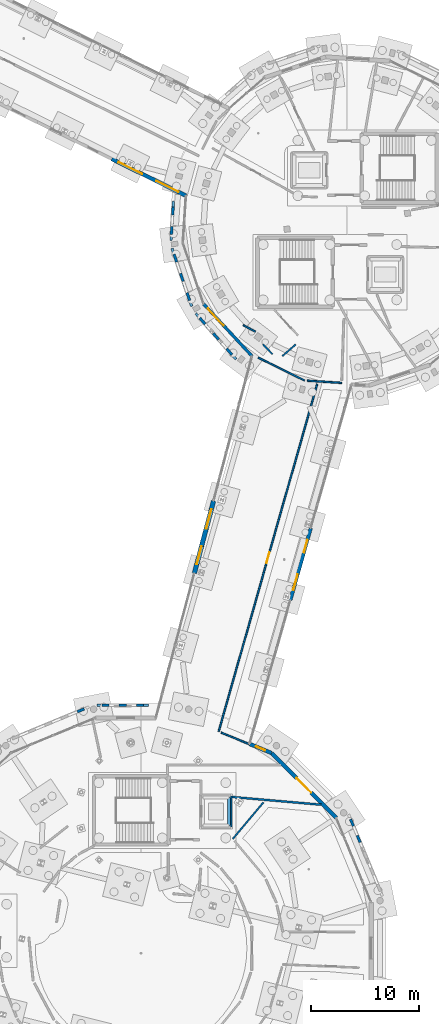
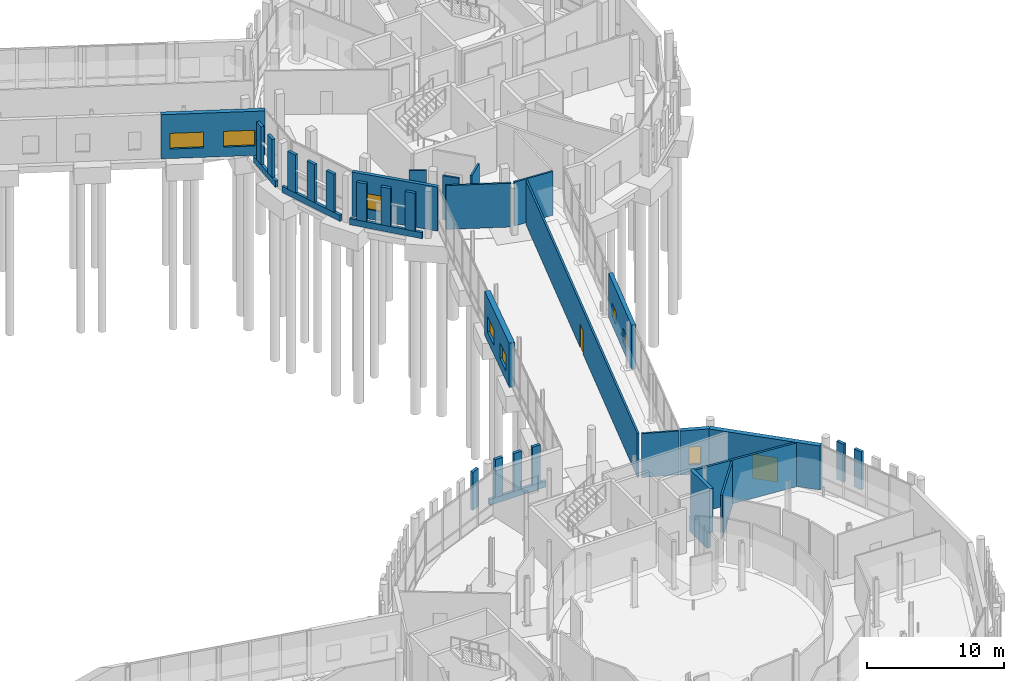
# One storey, part 92 of 113: 35 walls, 8 windows, 2 doors, 10 openings.
"""IFC4 building model written with IfcOpenShell, lengths in metres."""

from ifc_helpers import new_model, si_unit, direction, frame, frame_2d, origin, place, context, subcontext, project, spatial, rectangle, extrude, material, layer, layer_set, type_object, element, fill, save


model = new_model("IFC4")

# Units and contexts
model_context = context("Model", 3, precision=1e-05, world=origin(), true_north=direction((0.0, 1.0)))
body_context = subcontext(model_context, "Body", "Model", "MODEL_VIEW")
ifc_project = project(units=[si_unit("LENGTHUNIT", "METRE"), si_unit("AREAUNIT", "SQUARE_METRE"), si_unit("VOLUMEUNIT", "CUBIC_METRE"), si_unit("PLANEANGLEUNIT", "RADIAN"), si_unit("MASSUNIT", "GRAM", prefix="KILO")], contexts=[model_context])

# Site, building, storey
site_placement = place(None, origin())
site = spatial("IfcSite", under=ifc_project, at=site_placement, CompositionType="ELEMENT")
building_placement = place(site_placement, origin())
building = spatial("IfcBuilding", under=site, at=building_placement, Name="Wrenclough Park School", CompositionType="ELEMENT")
storey_placement = place(building_placement, origin())
storey = spatial("IfcBuildingStorey", under=building, at=storey_placement, Name="L00", CompositionType="ELEMENT", Elevation=0.0)

# Walls
ifc_material_1 = material(Name="Perforated open-bond Staffordshire and Manchester brick screen pier", Category="masonry")
ifc_layer_1 = layer(ifc_material_1, 0.2451171875)
ifc_layer_set_1 = layer_set([ifc_layer_1], Name="Perforated open-bond Staffordshire and Manchester brick screen pier")
wall_type_1 = type_object("IfcWallType", Name="ENV-BS-PR245", PredefinedType="ELEMENTEDWALL", material=ifc_layer_set_1)
for number, where, z_axis, x_axis, name in (
    (1, (175.68310546875, 36.25048828125, 0.550048828125), (0.0, 0.0, 1.0), (-0.382762115804, 0.923846936838, 0.0), "D1 L00 perforated brick screen pier 0004"),
    (2, (175.060791015625, 37.752685546875, 0.550048828125), (0.0, 0.0, 1.0), (-0.382762115804, 0.923846936838, 0.0), "D1 L00 perforated brick screen pier 0005"),
):
    element("IfcWall", number, at=place(storey_placement, frame(where, z_axis=z_axis, x_axis=x_axis)), inside=storey, type_object=wall_type_1, Name=name, PredefinedType="ELEMENTEDWALL", context=body_context, shape_type="SweptSolid", body=[
        extrude(rectangle(XDim=0.68310546875, YDim=0.2451171875, at=frame_2d((0.341552734375, 0.0))), origin(), (0.0, 0.0, 1.0), 3.389892578125),
    ])
for number, where, z_axis, x_axis, name in (
    (3, (155.72216796875, 48.878173828125, 0.550048828125), (0.0, 0.0, 1.0), (-1.0, 0.0, 0.0), "D1 L00 perforated brick screen pier 0006"),
    (4, (154.14013671875, 48.878173828125, 0.550048828125), (0.0, 0.0, 1.0), (-1.0, 0.0, 0.0), "D1 L00 perforated brick screen pier 0007"),
    (5, (152.55810546875, 48.878173828125, 0.550048828125), (0.0, 0.0, 1.0), (-1.0, 0.0, 0.0), "D1 L00 perforated brick screen pier 0008"),
):
    element("IfcWall", number, at=place(storey_placement, frame(where, z_axis=z_axis, x_axis=x_axis)), inside=storey, type_object=wall_type_1, Name=name, PredefinedType="ELEMENTEDWALL", context=body_context, shape_type="SweptSolid", body=[
        extrude(rectangle(XDim=0.6640625, YDim=0.2451171875, at=frame_2d((0.33203125, 0.0))), origin(), (0.0, 0.0, 1.0), 3.389892578125),
    ])
wall_1_placement = place(storey_placement, frame((150.256103515625, 48.5498046875, 0.550048828125), z_axis=(0.0, 0.0, 1.0), x_axis=(-0.923846936838, -0.382762115804, 0.0)))
element("IfcWall", 6, at=wall_1_placement, inside=storey, type_object=wall_type_1, Name="D1 L00 perforated brick screen pier 0009", PredefinedType="ELEMENTEDWALL", context=body_context, shape_type="SweptSolid", body=[
    extrude(rectangle(XDim=0.68310546875, YDim=0.2451171875, at=frame_2d((0.341552734375, 0.0))), origin(), (0.0, 0.0, 1.0), 3.389892578125),
])
for number, where, z_axis, x_axis, name in (
    (7, (158.450927734375, 94.822021484375, 0.550048828125), (0.0, 0.0, 1.0), (-0.065385923279, -0.997860050827, 0.0), "D5 L00 perforated brick screen pier 0152"),
    (8, (158.3330078125, 93.021240234375, 0.550048828125), (0.0, 0.0, 1.0), (-0.065385923279, -0.997860050827, 0.0), "D5 L00 perforated brick screen pier 0153"),
):
    element("IfcWall", number, at=place(storey_placement, frame(where, z_axis=z_axis, x_axis=x_axis)), inside=storey, type_object=wall_type_1, Name=name, PredefinedType="ELEMENTEDWALL", context=body_context, shape_type="SweptSolid", body=[
        extrude(rectangle(XDim=0.758056640625, YDim=0.2451171875, at=frame_2d((0.37890625, 0.0))), origin(), (0.0, 0.0, 1.0), 3.389892578125),
    ])
for number, where, z_axis, x_axis, name in (
    (9, (158.52783203125, 90.462158203125, 0.550048828125), (0.0, 0.0, 1.0), (0.321522655386, -0.946901886192, 0.0), "D5 L00 perforated brick screen pier 0154"),
    (10, (159.13134765625, 88.684326171875, 0.550048828125), (0.0, 0.0, 1.0), (0.32123461411, -0.946999642396, 0.0), "D5 L00 perforated brick screen pier 0155"),
):
    element("IfcWall", number, at=place(storey_placement, frame(where, z_axis=z_axis, x_axis=x_axis)), inside=storey, type_object=wall_type_1, Name=name, PredefinedType="ELEMENTEDWALL", context=body_context, shape_type="SweptSolid", body=[
        extrude(rectangle(XDim=0.760009765625, YDim=0.2451171875, at=frame_2d((0.3798828125, 0.0))), origin(), (0.0, 0.0, 1.0), 3.389892578125),
    ])
for number, where, z_axis, x_axis, name in (
    (11, (159.734619140625, 86.906494140625, 0.550048828125), (0.0, 0.0, 1.0), (0.321620473335, -0.946868666253, 0.0), "D5 L00 perforated brick screen pier 0156"),
    (12, (160.906005859375, 84.581298828125, 0.550048828125), (0.0, 0.0, 1.0), (0.659323125798, -0.751859704857, 0.0), "D5 L00 perforated brick screen pier 0157"),
):
    element("IfcWall", number, at=place(storey_placement, frame(where, z_axis=z_axis, x_axis=x_axis)), inside=storey, type_object=wall_type_1, Name=name, PredefinedType="ELEMENTEDWALL", context=body_context, shape_type="SweptSolid", body=[
        extrude(rectangle(XDim=0.759765625, YDim=0.2451171875, at=frame_2d((0.3798828125, 0.0))), origin(), (0.0, 0.0, 1.0), 3.389892578125),
    ])
wall_2_placement = place(storey_placement, frame((162.143798828125, 83.169921875, 0.550048828125), z_axis=(0.0, 0.0, 1.0), x_axis=(0.659345470196, -0.751840109951, 0.0)))
element("IfcWall", 13, at=wall_2_placement, inside=storey, type_object=wall_type_1, Name="D5 L00 perforated brick screen pier 0158", PredefinedType="ELEMENTEDWALL", context=body_context, shape_type="SweptSolid", body=[
    extrude(rectangle(XDim=0.76025390625, YDim=0.2451171875, at=frame_2d((0.380126953125, 0.0))), origin(), (0.0, 0.0, 1.0), 3.389892578125),
])
wall_3_placement = place(storey_placement, frame((163.381591796875, 81.75830078125, 0.550048828125), z_axis=(0.0, 0.0, 1.0), x_axis=(0.659504701015, -0.751700438565, 0.0)))
element("IfcWall", 14, at=wall_3_placement, inside=storey, type_object=wall_type_1, Name="D5 L00 perforated brick screen pier 0159", PredefinedType="ELEMENTEDWALL", context=body_context, shape_type="SweptSolid", body=[
    extrude(rectangle(XDim=0.760009765625, YDim=0.2451171875, at=frame_2d((0.3798828125, 0.0))), origin(), (0.0, 0.0, 1.0), 3.389892578125),
])
ifc_material_2 = material(Name="Open-bond Manchester multi-stock brick spandrel screen", Category="masonry")
ifc_layer_2 = layer(ifc_material_2, 0.22509765625)
ifc_layer_set_2 = layer_set([ifc_layer_2], Name="Open-bond Manchester multi-stock brick spandrel screen")
wall_type_2 = type_object("IfcWallType", Name="ENV-BS-SP225", PredefinedType="ELEMENTEDWALL", material=ifc_layer_set_2)
wall_4_placement = place(storey_placement, frame((156.18115234375, 48.878173828125, 0.0), z_axis=(0.0, 0.0, 1.0), x_axis=(-1.0, 0.0, 0.0)))
element("IfcWall", 15, at=wall_4_placement, inside=storey, type_object=wall_type_2, Name="D1 L00 open-bond brick screen spandrel 0002", PredefinedType="ELEMENTEDWALL", context=body_context, shape_type="SweptSolid", body=[
    extrude(rectangle(XDim=4.74609375, YDim=0.22509765625, at=frame_2d((2.373046875, 0.0))), origin(), (0.0, 0.0, 1.0), 0.550048828125),
])
wall_5_placement = place(storey_placement, frame((158.485107421875, 95.343994140625, 0.0), z_axis=(0.0, 0.0, 1.0), x_axis=(-0.065351524468, -0.997862304253, 0.0)))
element("IfcWall", 16, at=wall_5_placement, inside=storey, type_object=wall_type_2, Name="D5 L00 open-bond brick screen spandrel 0043", PredefinedType="ELEMENTEDWALL", context=body_context, shape_type="SweptSolid", body=[
    extrude(rectangle(XDim=3.60888671875, YDim=0.22509765625, at=frame_2d((1.804443359375, 0.0))), origin(), (0.0, 0.0, 1.0), 0.550048828125),
])
wall_6_placement = place(storey_placement, frame((158.34814453125, 90.9912109375, 0.0), z_axis=(0.0, 0.0, 1.0), x_axis=(0.321450435893, -0.946926405411, 0.0)))
element("IfcWall", 17, at=wall_6_placement, inside=storey, type_object=wall_type_2, Name="D5 L00 open-bond brick screen spandrel 0044", PredefinedType="ELEMENTEDWALL", context=body_context, shape_type="SweptSolid", body=[
    extrude(rectangle(XDim=5.63232421875, YDim=0.22509765625, at=frame_2d((2.816162109375, 0.0))), origin(), (0.0, 0.0, 1.0), 0.550048828125),
])
wall_7_placement = place(storey_placement, frame((160.53759765625, 85.001220703125, 0.0), z_axis=(0.0, 0.0, 1.0), x_axis=(0.659363462551, -0.751824330714, 0.0)))
element("IfcWall", 18, at=wall_7_placement, inside=storey, type_object=wall_type_2, Name="D5 L00 open-bond brick screen spandrel 0045", PredefinedType="ELEMENTEDWALL", context=body_context, shape_type="SweptSolid", body=[
    extrude(rectangle(XDim=5.632080078125, YDim=0.22509765625, at=frame_2d((2.81591796875, 0.0))), origin(), (0.0, 0.0, 1.0), 0.550048828125),
])

# Wall, opening, window
ifc_material_3 = material(Name="Link wing brick-faced cavity wall Concrete C32/40", Category="masonry")
ifc_layer_3 = layer(ifc_material_3, 0.27490234375)
ifc_layer_set_3 = layer_set([ifc_layer_3], Name="Link wing brick-faced cavity wall Concrete C32/40")
wall_type_3 = type_object("IfcWallType", Name="ENV-EW-275", PredefinedType="SOLIDWALL", material=ifc_layer_set_3)
wall_8_placement = place(storey_placement, frame((165.72314453125, 81.061279296875, 0.0), z_axis=(0.0, 0.0, 1.0), x_axis=(-0.68021653034, 0.73301123583, 0.0)))
wall_8 = element("IfcWall", 19, at=wall_8_placement, inside=storey, type_object=wall_type_3, Name="L00 insulated brick external wall 0054", PredefinedType="SOLIDWALL", context=body_context, shape_type="SweptSolid", body=[
    extrude(rectangle(XDim=6.548095703125, YDim=0.27490234375, at=frame_2d((3.27392578125, 0.0))), origin(), (0.0, 0.0, 1.0), 3.93994140625),
])
opening_1_placement = place(wall_8_placement, frame((3.8359375, 0.0, 0.85009765625)))
opening_1 = element("IfcOpeningElement", 20, at=opening_1_placement, cuts=wall_8, Name="Opening WN-10", PredefinedType="OPENING", context=body_context, shape_type="SweptSolid", body=[
    extrude(rectangle(XDim=2.14990234375, YDim=1.39990234375, at=frame_2d((1.074951171875, 0.699951171875))), frame((0.0, 0.1474609375, 0.0), z_axis=(0.0, -1.0, 0.0), x_axis=(1.0, 0.0, 0.0)), (0.0, 0.0, 1.0), 0.294921875),
])
ifc_material_4 = material(Name="Thermally broken aluminium and double-glazed low-e glass", Category="aluminium")
window_type_1 = type_object("IfcWindowType", Name="ENV-WN-10", PartitioningType="DOUBLE_PANEL_VERTICAL", PredefinedType="WINDOW", material=ifc_material_4)
window_1_placement = place(opening_1_placement, origin())
window_1 = element("IfcWindow", 21, at=window_1_placement, inside=storey, type_object=window_type_1, Name="L00 scheduled facade window 0065", OverallHeight=1.39990234375, OverallWidth=2.14990234375, PartitioningType="SINGLE_PANEL", PredefinedType="WINDOW", context=body_context, shape_type="SweptSolid", body=[
    extrude(rectangle(XDim=2.14990234375, YDim=1.39990234375, at=frame_2d((1.074951171875, 0.699951171875))), frame((0.0, 0.030029296875, 0.0), z_axis=(0.0, -1.0, 0.0), x_axis=(1.0, 0.0, 0.0)), (0.0, 0.0, 1.0), 0.06005859375),
])
fill(opening_1, window_1)

# Wall, openings, windows
ifc_material_5 = material(Name="Manchester multi-stock brick and Concrete C32/40 inner leaf", Category="masonry")
ifc_layer_4 = layer(ifc_material_5, 0.324951171875)
ifc_layer_set_4 = layer_set([ifc_layer_4], Name="Manchester multi-stock brick and Concrete C32/40 inner leaf")
wall_type_4 = type_object("IfcWallType", Name="ENV-EW-325", PredefinedType="SOLIDWALL", material=ifc_layer_set_4)
wall_9_placement = place(storey_placement, frame((171.132080078125, 65.202880859375, 0.0), z_axis=(0.0, 0.0, 1.0), x_axis=(-0.27282018356, -0.962065043249, 0.0)))
wall_9 = element("IfcWall", 22, at=wall_9_placement, inside=storey, type_object=wall_type_4, Name="L00 insulated brick external wall 0033", PredefinedType="SOLIDWALL", context=body_context, shape_type="SweptSolid", body=[
    extrude(rectangle(XDim=6.888671875, YDim=0.324951171875, at=frame_2d((3.4443359375, 0.0))), origin(), (0.0, 0.0, 1.0), 3.93994140625),
])
opening_2_placement = place(wall_9_placement, frame((1.122314453125, 0.0, 0.85009765625)))
opening_2 = element("IfcOpeningElement", 23, at=opening_2_placement, cuts=wall_9, Name="Opening WN-37", PredefinedType="OPENING", context=body_context, shape_type="SweptSolid", body=[
    extrude(rectangle(XDim=1.199951171875, YDim=1.14990234375, at=frame_2d((0.60009765625, 0.574951171875))), frame((0.0, 0.17236328125, 0.0), z_axis=(0.0, -1.0, 0.0), x_axis=(1.0, 0.0, 0.0)), (0.0, 0.0, 1.0), 0.344970703125),
])
opening_3_placement = place(wall_9_placement, frame((4.41650390625, 0.0, 0.85009765625)))
opening_3 = element("IfcOpeningElement", 24, at=opening_3_placement, cuts=wall_9, Name="Opening WN-38", PredefinedType="OPENING", context=body_context, shape_type="SweptSolid", body=[
    extrude(rectangle(XDim=1.5, YDim=1.14990234375, at=frame_2d((0.75, 0.574951171875))), frame((0.0, 0.17236328125, 0.0), z_axis=(0.0, -1.0, 0.0), x_axis=(1.0, 0.0, 0.0)), (0.0, 0.0, 1.0), 0.344970703125),
])
window_type_2 = type_object("IfcWindowType", Name="ENV-WN-37", PartitioningType="SINGLE_PANEL", PredefinedType="WINDOW", material=ifc_material_4)
window_2_placement = place(opening_2_placement, origin())
window_2 = element("IfcWindow", 25, at=window_2_placement, inside=storey, type_object=window_type_2, Name="L00 scheduled facade window 0036", OverallHeight=1.14990234375, OverallWidth=1.199951171875, PartitioningType="SINGLE_PANEL", PredefinedType="WINDOW", context=body_context, shape_type="SweptSolid", body=[
    extrude(rectangle(XDim=1.199951171875, YDim=1.14990234375, at=frame_2d((0.60009765625, 0.574951171875))), frame((0.0, 0.030029296875, 0.0), z_axis=(0.0, -1.0, 0.0), x_axis=(1.0, 0.0, 0.0)), (0.0, 0.0, 1.0), 0.06005859375),
])
fill(opening_2, window_2)
window_type_3 = type_object("IfcWindowType", Name="ENV-WN-38", PartitioningType="DOUBLE_PANEL_VERTICAL", PredefinedType="WINDOW", material=ifc_material_4)
window_3_placement = place(opening_3_placement, origin())
window_3 = element("IfcWindow", 26, at=window_3_placement, inside=storey, type_object=window_type_3, Name="L00 scheduled facade window 0037", OverallHeight=1.14990234375, OverallWidth=1.5, PartitioningType="SINGLE_PANEL", PredefinedType="WINDOW", context=body_context, shape_type="SweptSolid", body=[
    extrude(rectangle(XDim=1.5, YDim=1.14990234375, at=frame_2d((0.75, 0.574951171875))), frame((0.0, 0.030029296875, 0.0), z_axis=(0.0, -1.0, 0.0), x_axis=(1.0, 0.0, 0.0)), (0.0, 0.0, 1.0), 0.06005859375),
])
fill(opening_3, window_3)

# Wall, opening, window
ifc_material_6 = material(Name="Staffordshire blue-grey brick and Concrete C35/45 inner leaf", Category="masonry")
ifc_layer_5 = layer(ifc_material_6, 0.35009765625)
ifc_layer_set_5 = layer_set([ifc_layer_5], Name="Staffordshire blue-grey brick and Concrete C35/45 inner leaf")
wall_type_5 = type_object("IfcWallType", Name="ENV-EW-350", PredefinedType="SOLIDWALL", material=ifc_layer_set_5)
wall_10_placement = place(storey_placement, frame((165.493896484375, 45.3203125, 0.0), z_axis=(0.0, 0.0, 1.0), x_axis=(0.923883575944, -0.382673670509, 0.0)))
wall_10 = element("IfcWall", 27, at=wall_10_placement, inside=storey, type_object=wall_type_5, Name="L00 insulated brick external wall 0034", PredefinedType="SOLIDWALL", context=body_context, shape_type="SweptSolid", body=[
    extrude(rectangle(XDim=2.188232421875, YDim=0.35009765625, at=frame_2d((1.09423828125, 0.0))), origin(), (0.0, 0.0, 1.0), 3.93994140625),
])
opening_4_placement = place(wall_10_placement, frame((0.644287109375, 0.0, 0.85009765625)))
opening_4 = element("IfcOpeningElement", 28, at=opening_4_placement, cuts=wall_10, Name="Opening WN-13", PredefinedType="OPENING", context=body_context, shape_type="SweptSolid", body=[
    extrude(rectangle(XDim=0.89990234375, YDim=1.60009765625, at=frame_2d((0.449951171875, 0.800048828125))), frame((0.0, 0.18505859375, 0.0), z_axis=(0.0, -1.0, 0.0), x_axis=(1.0, 0.0, 0.0)), (0.0, 0.0, 1.0), 0.3701171875),
])
window_type_4 = type_object("IfcWindowType", Name="ENV-WN-13", PartitioningType="SINGLE_PANEL", PredefinedType="WINDOW", material=ifc_material_4)
window_4_placement = place(opening_4_placement, origin())
window_4 = element("IfcWindow", 29, at=window_4_placement, inside=storey, type_object=window_type_4, Name="L00 scheduled facade window 0038", OverallHeight=1.60009765625, OverallWidth=0.89990234375, PartitioningType="SINGLE_PANEL", PredefinedType="WINDOW", context=body_context, shape_type="SweptSolid", body=[
    extrude(rectangle(XDim=0.89990234375, YDim=1.60009765625, at=frame_2d((0.449951171875, 0.800048828125))), frame((0.0, 0.030029296875, 0.0), z_axis=(0.0, -1.0, 0.0), x_axis=(1.0, 0.0, 0.0)), (0.0, 0.0, 1.0), 0.06005859375),
])
fill(opening_4, window_4)

# Wall, openings, windows
ifc_material_7 = material(Name="Faceted courtyard brick-cavity wall Concrete C35/45", Category="masonry")
ifc_layer_6 = layer(ifc_material_7, 0.364990234375)
ifc_layer_set_6 = layer_set([ifc_layer_6], Name="Faceted courtyard brick-cavity wall Concrete C35/45")
wall_type_6 = type_object("IfcWallType", Name="ENV-EW-365", PredefinedType="SOLIDWALL", material=ifc_layer_set_6)
wall_11_placement = place(storey_placement, frame((159.63818359375, 95.85595703125, 0.0), z_axis=(0.0, 0.0, 1.0), x_axis=(-0.896266612371, 0.443515681289, 0.0)))
wall_11 = element("IfcWall", 30, at=wall_11_placement, inside=storey, type_object=wall_type_6, Name="L00 insulated brick external wall 0055", PredefinedType="SOLIDWALL", context=body_context, shape_type="SweptSolid", body=[
    extrude(rectangle(XDim=7.639892578125, YDim=0.364990234375, at=frame_2d((3.81982421875, 0.0))), origin(), (0.0, 0.0, 1.0), 3.93994140625),
])
opening_5_placement = place(wall_11_placement, frame((0.760009765625, 0.0, 0.85009765625)))
opening_5 = element("IfcOpeningElement", 31, at=opening_5_placement, cuts=wall_11, Name="Opening WN-11", PredefinedType="OPENING", context=body_context, shape_type="SweptSolid", body=[
    extrude(rectangle(XDim=2.300048828125, YDim=1.39990234375, at=frame_2d((1.14990234375, 0.699951171875))), frame((0.0, 0.1923828125, 0.0), z_axis=(0.0, -1.0, 0.0), x_axis=(1.0, 0.0, 0.0)), (0.0, 0.0, 1.0), 0.385009765625),
])
opening_6_placement = place(wall_11_placement, frame((4.5048828125, 0.0, 0.85009765625)))
opening_6 = element("IfcOpeningElement", 32, at=opening_6_placement, cuts=wall_11, Name="Opening WN-12", PredefinedType="OPENING", context=body_context, shape_type="SweptSolid", body=[
    extrude(rectangle(XDim=2.449951171875, YDim=1.39990234375, at=frame_2d((1.22509765625, 0.699951171875))), frame((0.0, 0.1923828125, 0.0), z_axis=(0.0, -1.0, 0.0), x_axis=(1.0, 0.0, 0.0)), (0.0, 0.0, 1.0), 0.385009765625),
])
window_type_5 = type_object("IfcWindowType", Name="ENV-WN-11", PartitioningType="DOUBLE_PANEL_VERTICAL", PredefinedType="WINDOW", material=ifc_material_4)
window_5_placement = place(opening_5_placement, origin())
window_5 = element("IfcWindow", 33, at=window_5_placement, inside=storey, type_object=window_type_5, Name="L00 scheduled facade window 0066", OverallHeight=1.39990234375, OverallWidth=2.300048828125, PartitioningType="SINGLE_PANEL", PredefinedType="WINDOW", context=body_context, shape_type="SweptSolid", body=[
    extrude(rectangle(XDim=2.300048828125, YDim=1.39990234375, at=frame_2d((1.14990234375, 0.699951171875))), frame((0.0, 0.030029296875, 0.0), z_axis=(0.0, -1.0, 0.0), x_axis=(1.0, 0.0, 0.0)), (0.0, 0.0, 1.0), 0.06005859375),
])
fill(opening_5, window_5)
window_type_6 = type_object("IfcWindowType", Name="ENV-WN-12", PartitioningType="DOUBLE_PANEL_VERTICAL", PredefinedType="WINDOW", material=ifc_material_4)
window_6_placement = place(opening_6_placement, origin())
window_6 = element("IfcWindow", 34, at=window_6_placement, inside=storey, type_object=window_type_6, Name="L00 scheduled facade window 0067", OverallHeight=1.39990234375, OverallWidth=2.449951171875, PartitioningType="SINGLE_PANEL", PredefinedType="WINDOW", context=body_context, shape_type="SweptSolid", body=[
    extrude(rectangle(XDim=2.449951171875, YDim=1.39990234375, at=frame_2d((1.22509765625, 0.699951171875))), frame((0.0, 0.030029296875, 0.0), z_axis=(0.0, -1.0, 0.0), x_axis=(1.0, 0.0, 0.0)), (0.0, 0.0, 1.0), 0.06005859375),
])
fill(opening_6, window_6)

# Wall, opening, door
ifc_material_8 = material(Name="Manchester multi-stock brick and Concrete C35/45 inner leaf", Category="masonry")
ifc_layer_7 = layer(ifc_material_8, 0.3798828125)
ifc_layer_set_7 = layer_set([ifc_layer_7], Name="Manchester multi-stock brick and Concrete C35/45 inner leaf")
wall_type_7 = type_object("IfcWallType", Name="ENV-EW-380", PredefinedType="SOLIDWALL", material=ifc_layer_set_7)
wall_12_placement = place(storey_placement, frame((167.515625, 44.48291015625, 0.0), z_axis=(0.0, 0.0, 1.0), x_axis=(0.707106781187, -0.707106781187, 0.0)))
wall_12 = element("IfcWall", 35, at=wall_12_placement, inside=storey, type_object=wall_type_7, Name="L00 insulated brick external wall 0035", PredefinedType="SOLIDWALL", context=body_context, shape_type="SweptSolid", body=[
    extrude(rectangle(XDim=8.43896484375, YDim=0.3798828125, at=frame_2d((4.219482421875, 0.0))), origin(), (0.0, 0.0, 1.0), 3.93994140625),
])
opening_7_placement = place(wall_12_placement, frame((3.259521484375, 0.0, 0.0)))
opening_7 = element("IfcOpeningElement", 36, at=opening_7_placement, cuts=wall_12, Name="Opening EX-03", PredefinedType="OPENING", context=body_context, shape_type="SweptSolid", body=[
    extrude(rectangle(XDim=1.919921875, YDim=2.179931640625, at=frame_2d((0.9599609375, 1.08984375))), frame((0.0, 0.199951171875, 0.0), z_axis=(0.0, -1.0, 0.0), x_axis=(1.0, 0.0, 0.0)), (0.0, 0.0, 1.0), 0.39990234375),
])
ifc_material_9 = material(Name="Thermally broken powder-coated aluminium and laminated safety glass", Category="aluminium")
door_type_1 = type_object("IfcDoorType", Name="DR-EX192", OperationType="NOTDEFINED", PredefinedType="DOOR", material=ifc_material_9)
door_1_placement = place(opening_7_placement, origin())
door_1 = element("IfcDoor", 37, at=door_1_placement, inside=storey, type_object=door_type_1, Name="Pedestrian final exit door EX-03", OperationType="DOUBLE_DOOR_SINGLE_SWING", OverallHeight=2.179931640625, OverallWidth=1.919921875, PredefinedType="DOOR", context=body_context, shape_type="SweptSolid", body=[
    extrude(rectangle(XDim=1.919921875, YDim=2.179931640625, at=frame_2d((0.9599609375, 1.08984375))), frame((0.0, 0.02490234375, 0.0), z_axis=(0.0, -1.0, 0.0), x_axis=(1.0, 0.0, 0.0)), (0.0, 0.0, 1.0), 0.050048828125),
])
fill(opening_7, door_1)

# Wall, openings, windows
ifc_material_10 = material(Name="Insulated brick-clad sports hall wall Concrete C40/50", Category="masonry")
ifc_layer_8 = layer(ifc_material_10, 0.425048828125)
ifc_layer_set_8 = layer_set([ifc_layer_8], Name="Insulated brick-clad sports hall wall Concrete C40/50")
wall_type_8 = type_object("IfcWallType", Name="ENV-EW-425", PredefinedType="SOLIDWALL", material=ifc_layer_set_8)
wall_13_placement = place(storey_placement, frame((160.404541015625, 61.0517578125, 0.0), z_axis=(0.0, 0.0, 1.0), x_axis=(0.256858914513, 0.966448911239, 0.0)))
wall_13 = element("IfcWall", 38, at=wall_13_placement, inside=storey, type_object=wall_type_8, Name="L00 insulated brick external wall 0053", PredefinedType="SOLIDWALL", context=body_context, shape_type="SweptSolid", body=[
    extrude(rectangle(XDim=6.9013671875, YDim=0.425048828125, at=frame_2d((3.45068359375, 0.0))), origin(), (0.0, 0.0, 1.0), 3.93994140625),
])
opening_8_placement = place(wall_13_placement, frame((0.87548828125, 0.0, 0.85009765625)))
opening_8 = element("IfcOpeningElement", 39, at=opening_8_placement, cuts=wall_13, Name="Opening WN-07", PredefinedType="OPENING", context=body_context, shape_type="SweptSolid", body=[
    extrude(rectangle(XDim=1.699951171875, YDim=1.39990234375, at=frame_2d((0.85009765625, 0.699951171875))), frame((0.0, 0.222412109375, 0.0), z_axis=(0.0, -1.0, 0.0), x_axis=(1.0, 0.0, 0.0)), (0.0, 0.0, 1.0), 0.445068359375),
])
opening_9_placement = place(wall_13_placement, frame((4.251220703125, 0.0, 0.85009765625)))
opening_9 = element("IfcOpeningElement", 40, at=opening_9_placement, cuts=wall_13, Name="Opening WN-08", PredefinedType="OPENING", context=body_context, shape_type="SweptSolid", body=[
    extrude(rectangle(XDim=1.85009765625, YDim=1.39990234375, at=frame_2d((0.925048828125, 0.699951171875))), frame((0.0, 0.222412109375, 0.0), z_axis=(0.0, -1.0, 0.0), x_axis=(1.0, 0.0, 0.0)), (0.0, 0.0, 1.0), 0.445068359375),
])
window_type_7 = type_object("IfcWindowType", Name="ENV-WN-07", PartitioningType="DOUBLE_PANEL_VERTICAL", PredefinedType="WINDOW", material=ifc_material_4)
window_7_placement = place(opening_8_placement, origin())
window_7 = element("IfcWindow", 41, at=window_7_placement, inside=storey, type_object=window_type_7, Name="L00 scheduled facade window 0062", OverallHeight=1.39990234375, OverallWidth=1.699951171875, PartitioningType="SINGLE_PANEL", PredefinedType="WINDOW", context=body_context, shape_type="SweptSolid", body=[
    extrude(rectangle(XDim=1.699951171875, YDim=1.39990234375, at=frame_2d((0.85009765625, 0.699951171875))), frame((0.0, 0.030029296875, 0.0), z_axis=(0.0, -1.0, 0.0), x_axis=(1.0, 0.0, 0.0)), (0.0, 0.0, 1.0), 0.06005859375),
])
fill(opening_8, window_7)
window_type_8 = type_object("IfcWindowType", Name="ENV-WN-08", PartitioningType="DOUBLE_PANEL_VERTICAL", PredefinedType="WINDOW", material=ifc_material_4)
window_8_placement = place(opening_9_placement, origin())
window_8 = element("IfcWindow", 42, at=window_8_placement, inside=storey, type_object=window_type_8, Name="L00 scheduled facade window 0063", OverallHeight=1.39990234375, OverallWidth=1.85009765625, PartitioningType="SINGLE_PANEL", PredefinedType="WINDOW", context=body_context, shape_type="SweptSolid", body=[
    extrude(rectangle(XDim=1.85009765625, YDim=1.39990234375, at=frame_2d((0.925048828125, 0.699951171875))), frame((0.0, 0.030029296875, 0.0), z_axis=(0.0, -1.0, 0.0), x_axis=(1.0, 0.0, 0.0)), (0.0, 0.0, 1.0), 0.06005859375),
])
fill(opening_9, window_8)

# Walls
ifc_material_11 = material(Name="Concrete C40/50", Category="concrete")
ifc_layer_9 = layer(ifc_material_11, 0.2900390625)
ifc_layer_set_9 = layer_set([ifc_layer_9], Name="Concrete C40/50")
wall_type_9 = type_object("IfcWallType", Name="INT-CW-290", PredefinedType="SHEAR", material=ifc_layer_set_9)
wall_14_placement = place(storey_placement, frame((163.60009765625, 37.800048828125, -1.39990234375), z_axis=(0.0, 0.0, 1.0), x_axis=(0.0, 1.0, 0.0)))
element("IfcWall", 43, at=wall_14_placement, inside=storey, type_object=wall_type_9, Name="Lift LFT-03 concrete pit wall 2", PredefinedType="SHEAR", context=body_context, shape_type="SweptSolid", body=[
    extrude(rectangle(XDim=2.599853515625, YDim=0.2900390625, at=frame_2d((1.2998046875, 0.0))), origin(), (0.0, 0.0, 1.0), 1.39990234375),
])
wall_15_placement = place(storey_placement, frame((163.7451171875, 37.655029296875, 0.0), z_axis=(0.0, 0.0, 1.0), x_axis=(0.0, 1.0, 0.0)))
element("IfcWall", 44, at=wall_15_placement, inside=storey, type_object=wall_type_9, Name="Lift LFT-03 L00 east shaft wall", PredefinedType="SHEAR", context=body_context, shape_type="SweptSolid", body=[
    extrude(rectangle(XDim=2.889892578125, YDim=0.2900390625, at=frame_2d((1.44482421875, 0.0))), origin(), (0.0, 0.0, 1.0), 3.949951171875),
])
ifc_material_12 = material(Name="Protected corridor partition", Category="gypsum")
ifc_layer_10 = layer(ifc_material_12, 0.14990234375)
ifc_layer_set_10 = layer_set([ifc_layer_10], Name="Protected corridor partition")
wall_type_10 = type_object("IfcWallType", Name="INT-PW-150", PredefinedType="PARTITIONING", material=ifc_layer_set_10)
wall_16_placement = place(storey_placement, frame((166.76953125, 39.930419921875, 0.0), z_axis=(0.0, 0.0, 1.0), x_axis=(-0.642801882446, -0.766032466626, 0.0)))
element("IfcWall", 45, at=wall_16_placement, inside=storey, type_object=wall_type_10, Name="L00 internal partition 0035", PredefinedType="PARTITIONING", context=body_context, shape_type="SweptSolid", body=[
    extrude(rectangle(XDim=4.38818359375, YDim=0.14990234375, at=frame_2d((2.194091796875, 0.0))), origin(), (0.0, 0.0, 1.0), 3.9150390625),
])
wall_17_placement = place(storey_placement, frame((166.0361328125, 83.31787109375, 0.0), z_axis=(0.0, 0.0, 1.0), x_axis=(-0.881001854815, 0.473112810874, 0.0)))
element("IfcWall", 46, at=wall_17_placement, inside=storey, type_object=wall_type_10, Name="L00 internal partition 0126", PredefinedType="PARTITIONING", context=body_context, shape_type="SweptSolid", body=[
    extrude(rectangle(XDim=1.268798828125, YDim=0.14990234375, at=frame_2d((0.63427734375, 0.0))), origin(), (0.0, 0.0, 1.0), 3.9150390625),
])
wall_18_placement = place(storey_placement, frame((166.28564453125, 80.93310546875, 0.0), z_axis=(0.0, 0.0, 1.0), x_axis=(0.896868647231, -0.442296992544, 0.0)))
element("IfcWall", 47, at=wall_18_placement, inside=storey, type_object=wall_type_10, Name="L00 internal partition 0127", PredefinedType="PARTITIONING", context=body_context, shape_type="SweptSolid", body=[
    extrude(rectangle(XDim=4.7734375, YDim=0.14990234375, at=frame_2d((2.38671875, 0.0))), origin(), (0.0, 0.0, 1.0), 3.9150390625),
])
wall_19_placement = place(storey_placement, frame((170.81640625, 78.805419921875, 0.0), z_axis=(0.0, 0.0, 1.0), x_axis=(0.997854805098, -0.065465929634, 0.0)))
element("IfcWall", 48, at=wall_19_placement, inside=storey, type_object=wall_type_10, Name="L00 internal partition 0128", PredefinedType="PARTITIONING", context=body_context, shape_type="SweptSolid", body=[
    extrude(rectangle(XDim=3.169921875, YDim=0.14990234375, at=frame_2d((1.5849609375, 0.0))), origin(), (0.0, 0.0, 1.0), 3.9150390625),
])
wall_20_placement = place(storey_placement, frame((169.7578125, 82.153564453125, 0.0), z_axis=(0.0, 0.0, 1.0), x_axis=(-0.751952338666, -0.659217475781, 0.0)))
element("IfcWall", 49, at=wall_20_placement, inside=storey, type_object=wall_type_10, Name="L00 internal partition 0131", PredefinedType="PARTITIONING", context=body_context, shape_type="SweptSolid", body=[
    extrude(rectangle(XDim=1.64794921875, YDim=0.14990234375, at=frame_2d((0.823974609375, 0.0))), origin(), (0.0, 0.0, 1.0), 3.9150390625),
])
wall_21_placement = place(storey_placement, frame((167.601806640625, 81.2421875, 0.0), z_axis=(0.0, 0.0, 1.0), x_axis=(-0.689320639766, 0.72445638626, 0.0)))
element("IfcWall", 50, at=wall_21_placement, inside=storey, type_object=wall_type_10, Name="L00 internal partition 0132", PredefinedType="PARTITIONING", context=body_context, shape_type="SweptSolid", body=[
    extrude(rectangle(XDim=1.257568359375, YDim=0.14990234375, at=frame_2d((0.62890625, 0.0))), origin(), (0.0, 0.0, 1.0), 3.9150390625),
])

# Wall, opening, door
wall_22_placement = place(storey_placement, frame((171.727783203125, 78.4951171875, 0.0), z_axis=(0.0, 0.0, 1.0), x_axis=(-0.27275916011, -0.962082346047, 0.0)))
wall_22 = element("IfcWall", 51, at=wall_22_placement, inside=storey, type_object=wall_type_10, Name="L00 internal partition 0155", PredefinedType="PARTITIONING", context=body_context, shape_type="SweptSolid", body=[
    extrude(rectangle(XDim=33.29052734375, YDim=0.14990234375, at=frame_2d((16.645263671875, 0.0))), origin(), (0.0, 0.0, 1.0), 3.9150390625),
])
opening_10_placement = place(wall_22_placement, frame((16.145263671875, 0.0, 0.0)))
opening_10 = element("IfcOpeningElement", 52, at=opening_10_placement, cuts=wall_22, Name="Opening DR-L00-028", PredefinedType="OPENING", context=body_context, shape_type="SweptSolid", body=[
    extrude(rectangle(XDim=1.0, YDim=2.10009765625, at=frame_2d((0.5, 1.050048828125))), frame((0.0, 0.0849609375, 0.0), z_axis=(0.0, -1.0, 0.0), x_axis=(1.0, 0.0, 0.0)), (0.0, 0.0, 1.0), 0.169921875),
])
ifc_material_13 = material(Name="Humanities classroom vision door assembly", Category="wood")
door_type_2 = type_object("IfcDoorType", Name="INT-DR-CL100", OperationType="NOTDEFINED", PredefinedType="DOOR", material=ifc_material_13)
door_2_placement = place(opening_10_placement, origin())
door_2 = element("IfcDoor", 53, at=door_2_placement, inside=storey, type_object=door_type_2, Name="Park View Seminar Classroom L00 door DR-L00-028", OperationType="SINGLE_SWING_LEFT", OverallHeight=2.10009765625, OverallWidth=1.0, PredefinedType="DOOR", context=body_context, shape_type="SweptSolid", body=[
    extrude(rectangle(XDim=1.0, YDim=2.10009765625, at=frame_2d((0.5, 1.050048828125))), frame((0.0, 0.02490234375, 0.0), z_axis=(0.0, -1.0, 0.0), x_axis=(1.0, 0.0, 0.0)), (0.0, 0.0, 1.0), 0.050048828125),
])
fill(opening_10, door_2)

# Walls
wall_23_placement = place(storey_placement, frame((162.87841796875, 46.37109375, 0.0), z_axis=(0.0, 0.0, 1.0), x_axis=(0.923881153935, -0.382679517877, 0.0)))
element("IfcWall", 54, at=wall_23_placement, inside=storey, type_object=wall_type_10, Name="L00 internal partition 0156", PredefinedType="PARTITIONING", context=body_context, shape_type="SweptSolid", body=[
    extrude(rectangle(XDim=2.741455078125, YDim=0.14990234375, at=frame_2d((1.37060546875, 0.0))), origin(), (0.0, 0.0, 1.0), 3.9150390625),
])
ifc_material_14 = material(Name="Laboratory fire and acoustic partition", Category="gypsum")
ifc_layer_11 = layer(ifc_material_14, 0.18505859375)
ifc_layer_set_11 = layer_set([ifc_layer_11], Name="Laboratory fire and acoustic partition")
wall_type_11 = type_object("IfcWallType", Name="INT-PW-185", PredefinedType="PARTITIONING", material=ifc_layer_set_11)
wall_24_placement = place(storey_placement, frame((163.885986328125, 40.4326171875, 0.0), z_axis=(0.0, 0.0, 1.0), x_axis=(0.996232022213, -0.086728068795, 0.0)))
element("IfcWall", 55, at=wall_24_placement, inside=storey, type_object=wall_type_11, Name="L00 protected exit passageway EI 60 wall 0002", PredefinedType="PARTITIONING", context=body_context, shape_type="SweptSolid", body=[
    extrude(rectangle(XDim=8.239501953125, YDim=0.18505859375, at=frame_2d((4.11962890625, 0.0))), origin(), (0.0, 0.0, 1.0), 3.9150390625),
])

save(model, "model.ifc")
